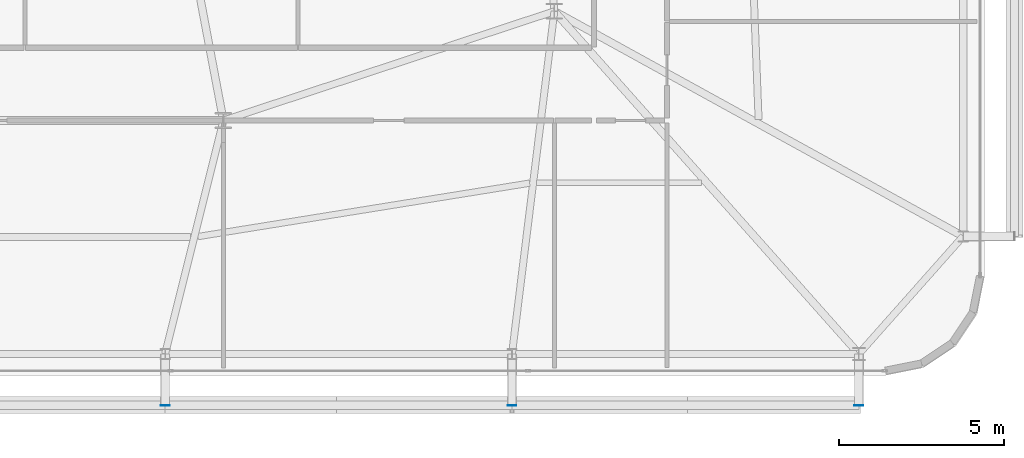
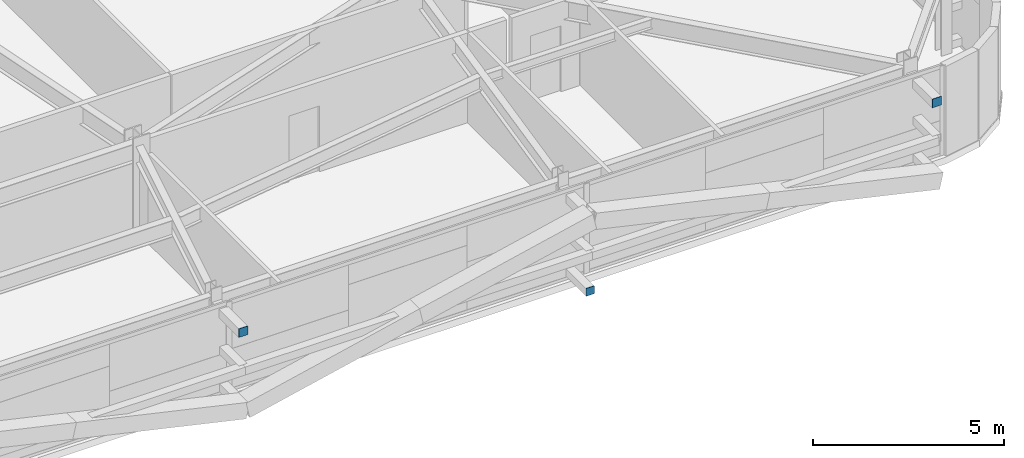
# One storey, part 34 of 45: 3 plates.
"""IFC4 building model written with IfcOpenShell, lengths in metres."""

from ifc_helpers import new_model, si_unit, direction, frame, origin, origin_2d, place, context, subcontext, project, spatial, rectangle, extrude, source, transform, mapped, material, layer, layer_set, type_object, element, save


model = new_model("IFC4")

# Units and contexts
model_context = context("Model", 3, precision=1e-05, world=origin(), true_north=direction((0.0, 1.0)))
body_context = subcontext(model_context, "Body", "Model", "MODEL_VIEW")
ifc_project = project(units=[si_unit("LENGTHUNIT", "METRE"), si_unit("AREAUNIT", "SQUARE_METRE"), si_unit("VOLUMEUNIT", "CUBIC_METRE"), si_unit("PLANEANGLEUNIT", "RADIAN"), si_unit("MASSUNIT", "GRAM", prefix="KILO")], contexts=[model_context])

# Site, building, storey
site_placement = place(None, origin())
site = spatial("IfcSite", under=ifc_project, at=site_placement, CompositionType="ELEMENT")
building_placement = place(site_placement, origin())
building = spatial("IfcBuilding", under=site, at=building_placement, Name="Taldren Reach Tower", CompositionType="ELEMENT")
storey_placement = place(building_placement, frame((0.0, 0.0, 57.75)))
storey = spatial("IfcBuildingStorey", under=building, at=storey_placement, Name="L17", CompositionType="ELEMENT", Elevation=57.75)

# Plates
ifc_material_1 = material(Name="Steel Gr 450 (C450L0)", Category="steel")
ifc_layer_1 = layer(ifc_material_1, 0.011962890625)
ifc_layer_set_1 = layer_set([ifc_layer_1], Name="Steel Gr 450 (C450L0)")
plate_type_1 = type_object("IfcPlateType", Name="PL-CAP-275", PredefinedType="SHEET", material=ifc_layer_set_1)
shared_shape_1 = source(origin(), body_context, "Body", "SweptSolid", [
    extrude(rectangle(XDim=0.27490234375, YDim=0.011962890625, at=origin_2d()), origin(), (0.0, 0.0, 1.0), 0.27490234375),
])
for number, where, z_axis, x_axis, name in (
    (1, (40.239990234375, 0.593994140625, 2.45263671875), (0.0, 0.0, 1.0), (1.0, 0.0, 0.0), "Tie strut end cap plate B1-S4 L17"),
    (2, (61.199951171875, 0.593994140625, 2.45263671875), (0.0, 0.0, 1.0), (1.0, 0.0, 0.0), "Tie strut end cap plate B1-S6 L17"),
):
    element("IfcPlate", number, at=place(storey_placement, frame(where, z_axis=z_axis, x_axis=x_axis)), inside=storey, type_object=plate_type_1, Name=name, PredefinedType="SHEET", context=body_context, shape_type="MappedRepresentation", body=[
        mapped(shared_shape_1, transform((0.0, 0.0, 0.0), scale=1.0)),
    ])
ifc_material_2 = material(Name="Steel Gr 350 (C350L0)", Category="steel")
ifc_layer_2 = layer(ifc_material_2, 0.011962890625)
ifc_layer_set_2 = layer_set([ifc_layer_2], Name="Steel Gr 350 (C350L0)")
plate_type_2 = type_object("IfcPlateType", Name="PL-CAP-250", PredefinedType="SHEET", material=ifc_layer_set_2)
shared_shape_2 = source(origin(), body_context, "Body", "SweptSolid", [
    extrude(rectangle(XDim=0.25, YDim=0.011962890625, at=origin_2d()), origin(), (0.0, 0.0, 1.0), 0.25),
])
plate_placement = place(storey_placement, frame((50.719970703125, 0.593994140625, 0.094970703125), z_axis=(0.0, 0.0, 1.0), x_axis=(1.0, 0.0, 0.0)))
element("IfcPlate", 3, at=plate_placement, inside=storey, type_object=plate_type_2, Name="Tie strut end cap plate B1-S5 L17", PredefinedType="SHEET", context=body_context, shape_type="MappedRepresentation", body=[
    mapped(shared_shape_2, transform((0.0, 0.0, 0.0), scale=1.0)),
])

save(model, "model.ifc")
